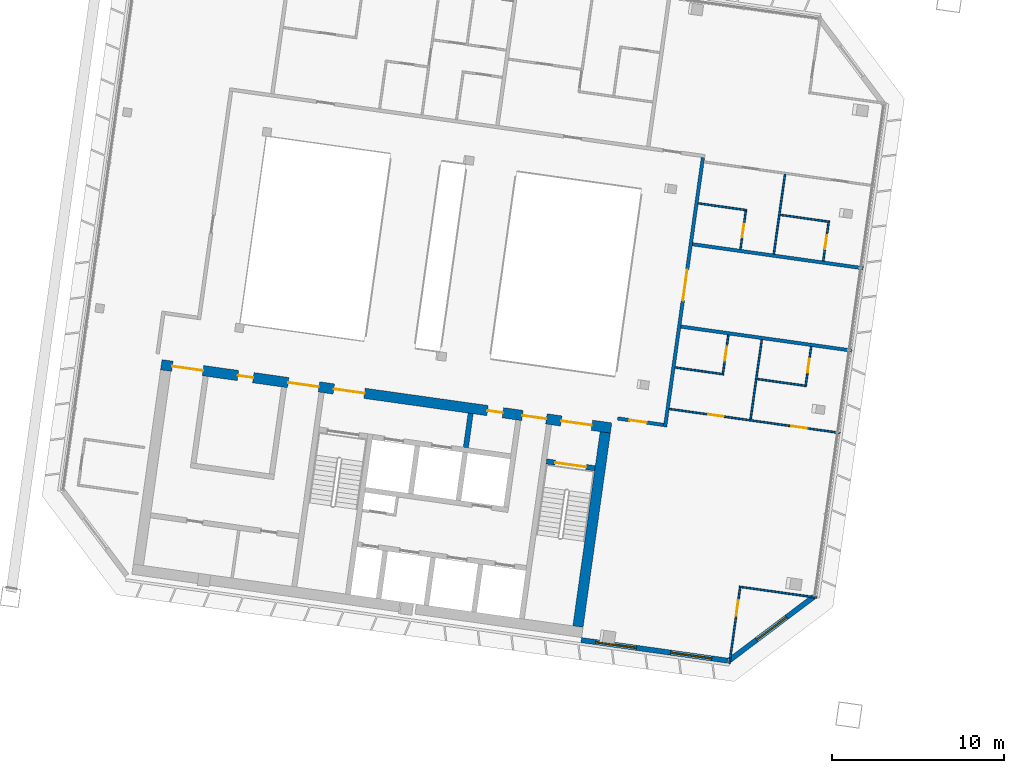
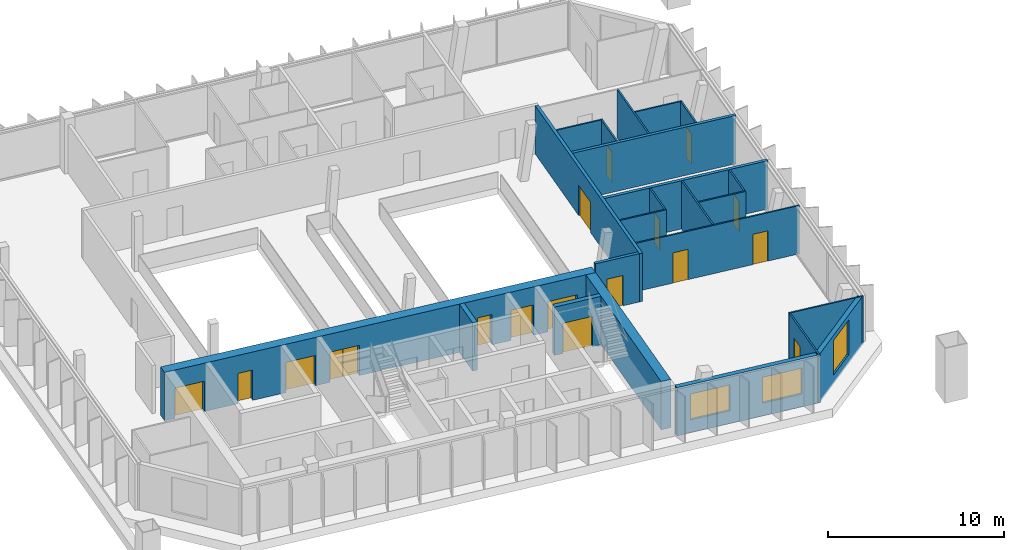
# One storey, part 17 of 26: 23 walls, 17 doors, 3 windows, 20 openings.
"""IFC4 building model written with IfcOpenShell, lengths in metres."""

from ifc_helpers import new_model, si_unit, direction, frame, frame_2d, origin, place, context, subcontext, project, spatial, rectangle, extrude, material, layer, layer_set, type_object, element, fill, save


model = new_model("IFC4")

# Units and contexts
model_context = context("Model", 3, precision=1e-05, world=origin(), true_north=direction((0.0, 1.0)))
body_context = subcontext(model_context, "Body", "Model", "MODEL_VIEW")
ifc_project = project(units=[si_unit("LENGTHUNIT", "METRE"), si_unit("AREAUNIT", "SQUARE_METRE"), si_unit("VOLUMEUNIT", "CUBIC_METRE"), si_unit("PLANEANGLEUNIT", "RADIAN"), si_unit("MASSUNIT", "GRAM", prefix="KILO")], contexts=[model_context])

# Site, building, storey
site_placement = place(None, origin())
site = spatial("IfcSite", under=ifc_project, at=site_placement, CompositionType="ELEMENT")
building_placement = place(site_placement, origin())
building = spatial("IfcBuilding", under=site, at=building_placement, Name="Mirante Cascada Hotel Towers", CompositionType="ELEMENT")
storey_placement = place(building_placement, frame((0.0, 0.0, 235.6)))
storey = spatial("IfcBuildingStorey", under=building, at=storey_placement, Name="L56", CompositionType="ELEMENT", Elevation=235.6)

# Wall, opening, door
ifc_material_1 = material(Name="Fire-rated plasterboard on metal studs")
ifc_layer_1 = layer(ifc_material_1, 0.2)
ifc_layer_set_1 = layer_set([ifc_layer_1], Name="Compartment wall 200 EI 120")
wall_type_1 = type_object("IfcWallType", Name="Compartment wall 200 EI 120", PredefinedType="PARTITIONING", material=ifc_layer_set_1)
wall_1_placement = place(storey_placement, frame((-35.2634, -7.1173, 0.0), z_axis=(0.0, 0.0, 1.0), x_axis=(0.9902713, -0.1391498, 0.0)))
wall_1 = element("IfcWall", 1, at=wall_1_placement, inside=storey, type_object=wall_type_1, Name="Wall 1-L56-04", PredefinedType="PARTITIONING", context=body_context, shape_type="SweptSolid", body=[
    extrude(rectangle(XDim=2.7, YDim=0.2, at=frame_2d((1.35, 0.0))), origin(), (0.0, 0.0, 1.0), 3.35),
])
opening_1_placement = place(wall_1_placement, frame((0.7, 0.0, 0.0)))
opening_1 = element("IfcOpeningElement", 2, at=opening_1_placement, cuts=wall_1, Name="Opening D1-L56-01", PredefinedType="OPENING", context=body_context, shape_type="SweptSolid", body=[
    extrude(rectangle(XDim=1.0, YDim=2.1, at=frame_2d((0.5, 1.05))), frame((0.0, 0.1, 0.0), z_axis=(0.0, -1.0, 0.0), x_axis=(1.0, 0.0, 0.0)), (0.0, 0.0, 1.0), 0.2),
])
ifc_material_2 = material(Name="Fire-rated timber door leaf", Category="wood")
door_type_1 = type_object("IfcDoorType", Name="Entrance door DG1 1000x2100 EI 60", OperationType="SINGLE_SWING_LEFT", PredefinedType="DOOR", material=ifc_material_2)
door_1_placement = place(opening_1_placement, frame((1.0, 0.0, 0.0), z_axis=(0.0, 0.0, 1.0), x_axis=(-1.0, 0.0, 0.0)))
door_1 = element("IfcDoor", 3, at=door_1_placement, inside=storey, type_object=door_type_1, Name="Door D1-L56-01", OperationType="SINGLE_SWING_RIGHT", OverallHeight=2.1, OverallWidth=1.0, PredefinedType="DOOR", context=body_context, shape_type="SweptSolid", body=[
    extrude(rectangle(XDim=1.0, YDim=2.1, at=frame_2d((0.5, 1.05))), frame((0.0, 0.025, 0.0), z_axis=(0.0, -1.0, 0.0), x_axis=(1.0, 0.0, 0.0)), (0.0, 0.0, 1.0), 0.05),
])
fill(opening_1, door_1)

# Walls
for number, where, z_axis, x_axis, name in (
    (4, (-21.6634, -3.1716, 0.0), (0.0, 0.0, 1.0), (-0.9902681, 0.1391726, 0.0), "Wall 1-L56-09"),
    (5, (-30.9118, 3.0089, 0.0), (0.0, 0.0, 1.0), (0.9902681, -0.1391726, 0.0), "Wall 1-L56-10"),
):
    element("IfcWall", number, at=place(storey_placement, frame(where, z_axis=z_axis, x_axis=x_axis)), inside=storey, type_object=wall_type_1, Name=name, PredefinedType="PARTITIONING", context=body_context, shape_type="SweptSolid", body=[
        extrude(rectangle(XDim=10.0185, YDim=0.2, at=frame_2d((5.0092, 0.0))), origin(), (0.0, 0.0, 1.0), 3.35),
    ])

# Wall, opening, door
wall_2_placement = place(storey_placement, frame((-30.3056, 8.0402, 0.0), z_axis=(0.0, 0.0, 1.0), x_axis=(-0.1391774, -0.9902675, 0.0)))
wall_2 = element("IfcWall", 6, at=wall_2_placement, inside=storey, type_object=wall_type_1, Name="Wall 1-L56-32", PredefinedType="PARTITIONING", context=body_context, shape_type="SweptSolid", body=[
    extrude(rectangle(XDim=15.8, YDim=0.2, at=frame_2d((7.9, 0.0))), origin(), (0.0, 0.0, 1.0), 3.35),
])
opening_2_placement = place(wall_2_placement, frame((6.5834, 0.0, 0.0)))
opening_2 = element("IfcOpeningElement", 7, at=opening_2_placement, cuts=wall_2, Name="Opening D1-L56-22", PredefinedType="OPENING", context=body_context, shape_type="SweptSolid", body=[
    extrude(rectangle(XDim=1.8, YDim=2.1, at=frame_2d((0.9, 1.05))), frame((0.0, 0.1, 0.0), z_axis=(0.0, -1.0, 0.0), x_axis=(1.0, 0.0, 0.0)), (0.0, 0.0, 1.0), 0.2),
])
ifc_material_3 = material(Name="Fire-rated timber door leaf", Category="wood")
door_type_2 = type_object("IfcDoorType", Name="Suite double door DG2 1800x2100 EI 60", OperationType="DOUBLE_DOOR_SINGLE_SWING", PredefinedType="DOOR", material=ifc_material_3)
door_2_placement = place(opening_2_placement, origin())
door_2 = element("IfcDoor", 8, at=door_2_placement, inside=storey, type_object=door_type_2, Name="Door D1-L56-22", OperationType="DOUBLE_DOOR_SINGLE_SWING", OverallHeight=2.1, OverallWidth=1.8, PredefinedType="DOOR", context=body_context, shape_type="SweptSolid", body=[
    extrude(rectangle(XDim=0.895, YDim=2.1, at=frame_2d((0.4475, 1.05))), frame((0.0, 0.025, 0.0), z_axis=(0.0, -1.0, 0.0), x_axis=(1.0, 0.0, 0.0)), (0.0, 0.0, 1.0), 0.05),
    extrude(rectangle(XDim=0.895, YDim=2.1, at=frame_2d((1.3525, 1.05))), frame((0.0, 0.025, 0.0), z_axis=(0.0, -1.0, 0.0), x_axis=(1.0, 0.0, 0.0)), (0.0, 0.0, 1.0), 0.05),
])
fill(opening_2, door_2)

# Walls
ifc_material_4 = material(Name="Masonry block", Category="masonry")
ifc_layer_2 = layer(ifc_material_4, 0.3)
ifc_layer_set_2 = layer_set([ifc_layer_2], Name="Core wall 300 block EI 120")
wall_type_2 = type_object("IfcWallType", Name="Core wall 300 block EI 120", PredefinedType="PARTITIONING", material=ifc_layer_set_2)
wall_3_placement = place(storey_placement, frame((-44.0843, -8.8061, 0.0), z_axis=(0.0, 0.0, 1.0), x_axis=(0.1391951, 0.990265, 0.0)))
element("IfcWall", 9, at=wall_3_placement, inside=storey, type_object=wall_type_2, Name="Core wall partition T1 L56 1", PredefinedType="PARTITIONING", context=body_context, shape_type="SweptSolid", body=[
    extrude(rectangle(XDim=2.0001, YDim=0.3, at=frame_2d((1.0001, 0.0))), origin(), (0.0, 0.0, 1.0), 3.35),
])
ifc_material_5 = material(Name="Plasterboard on metal studs")
ifc_layer_3 = layer(ifc_material_5, 0.1)
ifc_layer_set_3 = layer_set([ifc_layer_3], Name="Partition 100")
wall_type_3 = type_object("IfcWallType", Name="Partition 100", PredefinedType="PARTITIONING", material=ifc_layer_set_3)
wall_4_placement = place(storey_placement, frame((-23.6814, -17.5305, 0.0), z_axis=(0.0, 0.0, 1.0), x_axis=(-0.9902695, 0.1391626, 0.0)))
element("IfcWall", 10, at=wall_4_placement, inside=storey, type_object=wall_type_3, Name="Wall 1-L56-01", PredefinedType="PARTITIONING", context=body_context, shape_type="SweptSolid", body=[
    extrude(rectangle(XDim=4.5501, YDim=0.1, at=frame_2d((2.275, 0.0))), origin(), (0.0, 0.0, 1.0), 3.35),
])

# Wall, openings, doors
wall_5_placement = place(storey_placement, frame((-22.3361, -7.9579, 0.0), z_axis=(0.0, 0.0, 1.0), x_axis=(-0.9902681, 0.1391726, 0.0)))
wall_5 = element("IfcWall", 11, at=wall_5_placement, inside=storey, type_object=wall_type_3, Name="Wall 1-L56-05", PredefinedType="PARTITIONING", context=body_context, shape_type="SweptSolid", body=[
    extrude(rectangle(XDim=10.0185, YDim=0.1, at=frame_2d((5.0092, 0.0))), origin(), (0.0, 0.0, 1.0), 3.35),
])
opening_3_placement = place(wall_5_placement, frame((1.95, 0.0, 0.0)))
opening_3 = element("IfcOpeningElement", 12, at=opening_3_placement, cuts=wall_5, Name="Opening D1-L56-02", PredefinedType="OPENING", context=body_context, shape_type="SweptSolid", body=[
    extrude(rectangle(XDim=0.9, YDim=2.1, at=frame_2d((0.45, 1.05))), frame((0.0, 0.05, 0.0), z_axis=(0.0, -1.0, 0.0), x_axis=(1.0, 0.0, 0.0)), (0.0, 0.0, 1.0), 0.1),
])
opening_4_placement = place(wall_5_placement, frame((6.8389, 0.0, 0.0)))
opening_4 = element("IfcOpeningElement", 13, at=opening_4_placement, cuts=wall_5, Name="Opening D1-L56-03", PredefinedType="OPENING", context=body_context, shape_type="SweptSolid", body=[
    extrude(rectangle(XDim=0.9, YDim=2.1, at=frame_2d((0.45, 1.05))), frame((0.0, 0.05, 0.0), z_axis=(0.0, -1.0, 0.0), x_axis=(1.0, 0.0, 0.0)), (0.0, 0.0, 1.0), 0.1),
])
ifc_material_6 = material(Name="Timber door leaf", Category="wood")
door_type_3 = type_object("IfcDoorType", Name="Room door DG3 900x2100", OperationType="SINGLE_SWING_LEFT", PredefinedType="DOOR", material=ifc_material_6)
door_3_placement = place(opening_3_placement, origin())
door_3 = element("IfcDoor", 14, at=door_3_placement, inside=storey, type_object=door_type_3, Name="Door D1-L56-02", OperationType="SINGLE_SWING_LEFT", OverallHeight=2.1, OverallWidth=0.9, PredefinedType="DOOR", context=body_context, shape_type="SweptSolid", body=[
    extrude(rectangle(XDim=0.9, YDim=2.1, at=frame_2d((0.45, 1.05))), frame((0.0, 0.025, 0.0), z_axis=(0.0, -1.0, 0.0), x_axis=(1.0, 0.0, 0.0)), (0.0, 0.0, 1.0), 0.05),
])
fill(opening_3, door_3)
door_4_placement = place(opening_4_placement, origin())
door_4 = element("IfcDoor", 15, at=door_4_placement, inside=storey, type_object=door_type_3, Name="Door D1-L56-03", OperationType="SINGLE_SWING_LEFT", OverallHeight=2.1, OverallWidth=0.9, PredefinedType="DOOR", context=body_context, shape_type="SweptSolid", body=[
    extrude(rectangle(XDim=0.9, YDim=2.1, at=frame_2d((0.45, 1.05))), frame((0.0, 0.025, 0.0), z_axis=(0.0, -1.0, 0.0), x_axis=(1.0, 0.0, 0.0)), (0.0, 0.0, 1.0), 0.05),
])
fill(opening_4, door_4)

# Walls
wall_6_placement = place(storey_placement, frame((-24.2842, -5.2269, 0.0), z_axis=(0.0, 0.0, 1.0), x_axis=(-0.9902676, 0.1391761, 0.0)))
element("IfcWall", 16, at=wall_6_placement, inside=storey, type_object=wall_type_3, Name="Wall 1-L56-07", PredefinedType="PARTITIONING", context=body_context, shape_type="SweptSolid", body=[
    extrude(rectangle(XDim=2.8999, YDim=0.1, at=frame_2d((1.45, 0.0))), origin(), (0.0, 0.0, 1.0), 3.35),
])
wall_7_placement = place(storey_placement, frame((-31.9184, -4.154, 0.0), z_axis=(0.0, 0.0, 1.0), x_axis=(0.9902697, -0.1391613, 0.0)))
element("IfcWall", 17, at=wall_7_placement, inside=storey, type_object=wall_type_3, Name="Wall 1-L56-08", PredefinedType="PARTITIONING", context=body_context, shape_type="SweptSolid", body=[
    extrude(rectangle(XDim=2.8499, YDim=0.1, at=frame_2d((1.425, 0.0))), origin(), (0.0, 0.0, 1.0), 3.35),
])
wall_8_placement = place(storey_placement, frame((-22.9435, 4.3127, 0.0), z_axis=(0.0, 0.0, 1.0), x_axis=(-0.9902683, 0.1391714, 0.0)))
element("IfcWall", 18, at=wall_8_placement, inside=storey, type_object=wall_type_3, Name="Wall 1-L56-11", PredefinedType="PARTITIONING", context=body_context, shape_type="SweptSolid", body=[
    extrude(rectangle(XDim=2.9, YDim=0.1, at=frame_2d((1.45, 0.0))), origin(), (0.0, 0.0, 1.0), 3.35),
])
wall_9_placement = place(storey_placement, frame((-30.5777, 5.3856, 0.0), z_axis=(0.0, 0.0, 1.0), x_axis=(0.9902649, -0.1391957, 0.0)))
element("IfcWall", 19, at=wall_9_placement, inside=storey, type_object=wall_type_3, Name="Wall 1-L56-12", PredefinedType="PARTITIONING", context=body_context, shape_type="SweptSolid", body=[
    extrude(rectangle(XDim=2.8499, YDim=0.1, at=frame_2d((1.425, 0.0))), origin(), (0.0, 0.0, 1.0), 3.35),
])

# Wall, opening, door
wall_10_placement = place(storey_placement, frame((-24.0136, -2.9423, 0.0), z_axis=(0.0, 0.0, 1.0), x_axis=(-0.1391561, -0.9902705, 0.0)))
wall_10 = element("IfcWall", 20, at=wall_10_placement, inside=storey, type_object=wall_type_3, Name="Wall 1-L56-24", PredefinedType="PARTITIONING", context=body_context, shape_type="SweptSolid", body=[
    extrude(rectangle(XDim=2.25, YDim=0.1, at=frame_2d((1.125, 0.0))), origin(), (0.0, 0.0, 1.0), 3.35),
])
opening_5_placement = place(wall_10_placement, frame((0.7, 0.0, 0.0)))
opening_5 = element("IfcOpeningElement", 21, at=opening_5_placement, cuts=wall_10, Name="Opening D1-L56-16", PredefinedType="OPENING", context=body_context, shape_type="SweptSolid", body=[
    extrude(rectangle(XDim=0.8, YDim=2.1, at=frame_2d((0.4, 1.05))), frame((0.0, 0.05, 0.0), z_axis=(0.0, -1.0, 0.0), x_axis=(1.0, 0.0, 0.0)), (0.0, 0.0, 1.0), 0.1),
])
ifc_material_7 = material(Name="Timber door leaf", Category="wood")
door_type_4 = type_object("IfcDoorType", Name="Bathroom door DG4 800x2100", OperationType="SINGLE_SWING_LEFT", PredefinedType="DOOR", material=ifc_material_7)
door_5_placement = place(opening_5_placement, frame((0.8, 0.0, 0.0), z_axis=(0.0, 0.0, 1.0), x_axis=(-1.0, 0.0, 0.0)))
door_5 = element("IfcDoor", 22, at=door_5_placement, inside=storey, type_object=door_type_4, Name="Door D1-L56-16", OperationType="SINGLE_SWING_RIGHT", OverallHeight=2.1, OverallWidth=0.8, PredefinedType="DOOR", context=body_context, shape_type="SweptSolid", body=[
    extrude(rectangle(XDim=0.8, YDim=2.1, at=frame_2d((0.4, 1.05))), frame((0.0, 0.025, 0.0), z_axis=(0.0, -1.0, 0.0), x_axis=(1.0, 0.0, 0.0)), (0.0, 0.0, 1.0), 0.05),
])
fill(opening_5, door_5)

wall_11_placement = place(storey_placement, frame((-23.3131, 2.042, 0.0), z_axis=(0.0, 0.0, 1.0), x_axis=(0.1391997, 0.9902643, 0.0)))
wall_11 = element("IfcWall", 23, at=wall_11_placement, inside=storey, type_object=wall_type_3, Name="Wall 1-L56-25", PredefinedType="PARTITIONING", context=body_context, shape_type="SweptSolid", body=[
    extrude(rectangle(XDim=2.25, YDim=0.1, at=frame_2d((1.125, 0.0))), origin(), (0.0, 0.0, 1.0), 3.35),
])
opening_6_placement = place(wall_11_placement, frame((0.7, 0.0, 0.0)))
opening_6 = element("IfcOpeningElement", 24, at=opening_6_placement, cuts=wall_11, Name="Opening D1-L56-17", PredefinedType="OPENING", context=body_context, shape_type="SweptSolid", body=[
    extrude(rectangle(XDim=0.8, YDim=2.1, at=frame_2d((0.4, 1.05))), frame((0.0, 0.05, 0.0), z_axis=(0.0, -1.0, 0.0), x_axis=(1.0, 0.0, 0.0)), (0.0, 0.0, 1.0), 0.1),
])
door_6_placement = place(opening_6_placement, origin())
door_6 = element("IfcDoor", 25, at=door_6_placement, inside=storey, type_object=door_type_4, Name="Door D1-L56-17", OperationType="SINGLE_SWING_LEFT", OverallHeight=2.1, OverallWidth=0.8, PredefinedType="DOOR", context=body_context, shape_type="SweptSolid", body=[
    extrude(rectangle(XDim=0.8, YDim=2.1, at=frame_2d((0.4, 1.05))), frame((0.0, 0.025, 0.0), z_axis=(0.0, -1.0, 0.0), x_axis=(1.0, 0.0, 0.0)), (0.0, 0.0, 1.0), 0.05),
])
fill(opening_6, door_6)

wall_12_placement = place(storey_placement, frame((-28.1446, -16.9538, 0.0), z_axis=(0.0, 0.0, 1.0), x_axis=(-0.1391715, -0.9902683, 0.0)))
wall_12 = element("IfcWall", 26, at=wall_12_placement, inside=storey, type_object=wall_type_3, Name="Wall 1-L56-26", PredefinedType="PARTITIONING", context=body_context, shape_type="SweptSolid", body=[
    extrude(rectangle(XDim=4.4499, YDim=0.1, at=frame_2d((2.225, 0.0))), origin(), (0.0, 0.0, 1.0), 3.35),
])
opening_7_placement = place(wall_12_placement, frame((0.75, 0.0, 0.0)))
opening_7 = element("IfcOpeningElement", 27, at=opening_7_placement, cuts=wall_12, Name="Opening D1-L56-18", PredefinedType="OPENING", context=body_context, shape_type="SweptSolid", body=[
    extrude(rectangle(XDim=0.9, YDim=2.1, at=frame_2d((0.45, 1.05))), frame((0.0, 0.05, 0.0), z_axis=(0.0, -1.0, 0.0), x_axis=(1.0, 0.0, 0.0)), (0.0, 0.0, 1.0), 0.1),
])
door_7_placement = place(opening_7_placement, frame((0.9, 0.0, 0.0), z_axis=(0.0, 0.0, 1.0), x_axis=(-1.0, 0.0, 0.0)))
door_7 = element("IfcDoor", 28, at=door_7_placement, inside=storey, type_object=door_type_3, Name="Door D1-L56-18", OperationType="SINGLE_SWING_RIGHT", OverallHeight=2.1, OverallWidth=0.9, PredefinedType="DOOR", context=body_context, shape_type="SweptSolid", body=[
    extrude(rectangle(XDim=0.9, YDim=2.1, at=frame_2d((0.45, 1.05))), frame((0.0, 0.025, 0.0), z_axis=(0.0, -1.0, 0.0), x_axis=(1.0, 0.0, 0.0)), (0.0, 0.0, 1.0), 0.05),
])
fill(opening_7, door_7)

# Walls
wall_13_placement = place(storey_placement, frame((-26.8854, -2.5387, 0.0), z_axis=(0.0, 0.0, 1.0), x_axis=(-0.139176, -0.9902677, 0.0)))
element("IfcWall", 29, at=wall_13_placement, inside=storey, type_object=wall_type_3, Name="Wall 1-L56-28", PredefinedType="PARTITIONING", context=body_context, shape_type="SweptSolid", body=[
    extrude(rectangle(XDim=4.6833, YDim=0.1, at=frame_2d((2.3416, 0.0))), origin(), (0.0, 0.0, 1.0), 3.35),
])
wall_14_placement = place(storey_placement, frame((-26.1849, 2.4456, 0.0), z_axis=(0.0, 0.0, 1.0), x_axis=(0.139173, 0.9902681, 0.0)))
element("IfcWall", 30, at=wall_14_placement, inside=storey, type_object=wall_type_3, Name="Wall 1-L56-29", PredefinedType="PARTITIONING", context=body_context, shape_type="SweptSolid", body=[
    extrude(rectangle(XDim=4.6834, YDim=0.1, at=frame_2d((2.3417, 0.0))), origin(), (0.0, 0.0, 1.0), 3.35),
])

# Wall, opening, door
wall_15_placement = place(storey_placement, frame((-28.8256, -2.266, 0.0), z_axis=(0.0, 0.0, 1.0), x_axis=(-0.1391561, -0.9902705, 0.0)))
wall_15 = element("IfcWall", 31, at=wall_15_placement, inside=storey, type_object=wall_type_3, Name="Wall 1-L56-30", PredefinedType="PARTITIONING", context=body_context, shape_type="SweptSolid", body=[
    extrude(rectangle(XDim=2.25, YDim=0.1, at=frame_2d((1.125, 0.0))), origin(), (0.0, 0.0, 1.0), 3.35),
])
opening_8_placement = place(wall_15_placement, frame((0.7, 0.0, 0.0)))
opening_8 = element("IfcOpeningElement", 32, at=opening_8_placement, cuts=wall_15, Name="Opening D1-L56-20", PredefinedType="OPENING", context=body_context, shape_type="SweptSolid", body=[
    extrude(rectangle(XDim=0.8, YDim=2.1, at=frame_2d((0.4, 1.05))), frame((0.0, 0.05, 0.0), z_axis=(0.0, -1.0, 0.0), x_axis=(1.0, 0.0, 0.0)), (0.0, 0.0, 1.0), 0.1),
])
door_8_placement = place(opening_8_placement, frame((0.8, 0.0, 0.0), z_axis=(0.0, 0.0, 1.0), x_axis=(-1.0, 0.0, 0.0)))
door_8 = element("IfcDoor", 33, at=door_8_placement, inside=storey, type_object=door_type_4, Name="Door D1-L56-20", OperationType="SINGLE_SWING_RIGHT", OverallHeight=2.1, OverallWidth=0.8, PredefinedType="DOOR", context=body_context, shape_type="SweptSolid", body=[
    extrude(rectangle(XDim=0.8, YDim=2.1, at=frame_2d((0.4, 1.05))), frame((0.0, 0.025, 0.0), z_axis=(0.0, -1.0, 0.0), x_axis=(1.0, 0.0, 0.0)), (0.0, 0.0, 1.0), 0.05),
])
fill(opening_8, door_8)

wall_16_placement = place(storey_placement, frame((-28.1251, 2.7183, 0.0), z_axis=(0.0, 0.0, 1.0), x_axis=(0.1391561, 0.9902705, 0.0)))
wall_16 = element("IfcWall", 34, at=wall_16_placement, inside=storey, type_object=wall_type_3, Name="Wall 1-L56-31", PredefinedType="PARTITIONING", context=body_context, shape_type="SweptSolid", body=[
    extrude(rectangle(XDim=2.25, YDim=0.1, at=frame_2d((1.125, 0.0))), origin(), (0.0, 0.0, 1.0), 3.35),
])
opening_9_placement = place(wall_16_placement, frame((0.7, 0.0, 0.0)))
opening_9 = element("IfcOpeningElement", 35, at=opening_9_placement, cuts=wall_16, Name="Opening D1-L56-21", PredefinedType="OPENING", context=body_context, shape_type="SweptSolid", body=[
    extrude(rectangle(XDim=0.8, YDim=2.1, at=frame_2d((0.4, 1.05))), frame((0.0, 0.05, 0.0), z_axis=(0.0, -1.0, 0.0), x_axis=(1.0, 0.0, 0.0)), (0.0, 0.0, 1.0), 0.1),
])
door_9_placement = place(opening_9_placement, origin())
door_9 = element("IfcDoor", 36, at=door_9_placement, inside=storey, type_object=door_type_4, Name="Door D1-L56-21", OperationType="SINGLE_SWING_LEFT", OverallHeight=2.1, OverallWidth=0.8, PredefinedType="DOOR", context=body_context, shape_type="SweptSolid", body=[
    extrude(rectangle(XDim=0.8, YDim=2.1, at=frame_2d((0.4, 1.05))), frame((0.0, 0.025, 0.0), z_axis=(0.0, -1.0, 0.0), x_axis=(1.0, 0.0, 0.0)), (0.0, 0.0, 1.0), 0.05),
])
fill(opening_9, door_9)

# Wall, openings, windows
ifc_material_8 = material(Name="Precast concrete C40/50", Category="concrete")
ifc_layer_4 = layer(ifc_material_8, 0.3)
ifc_layer_set_4 = layer_set([ifc_layer_4], Name="Precast concrete C40/50 cladding wall 300")
wall_type_4 = type_object("IfcWallType", Name="Precast concrete C40/50 cladding wall 300", PredefinedType="STANDARD", material=ifc_layer_set_4)
wall_17_placement = place(storey_placement, frame((-28.8659, -21.1946, 0.0), z_axis=(0.0, 0.0, 1.0), x_axis=(-0.9902683, 0.1391714, 0.0)))
wall_17 = element("IfcWall", 37, at=wall_17_placement, inside=storey, type_object=wall_type_4, Name="Rear cladding wall T1 L56 1", PredefinedType="STANDARD", context=body_context, shape_type="SweptSolid", body=[
    extrude(rectangle(XDim=8.5944, YDim=0.3, at=frame_2d((4.2972, 0.0))), origin(), (0.0, 0.0, 1.0), 3.35),
])
opening_10_placement = place(wall_17_placement, frame((0.9439, 0.0, 0.9)))
opening_10 = element("IfcOpeningElement", 38, at=opening_10_placement, cuts=wall_17, Name="Opening W1-56-01", PredefinedType="OPENING", context=body_context, shape_type="SweptSolid", body=[
    extrude(rectangle(XDim=2.4, YDim=1.8, at=frame_2d((1.2, 0.9))), frame((0.0, 0.15, 0.0), z_axis=(0.0, -1.0, 0.0), x_axis=(1.0, 0.0, 0.0)), (0.0, 0.0, 1.0), 0.3),
])
opening_11_placement = place(wall_17_placement, frame((5.3557, 0.0, 0.9)))
opening_11 = element("IfcOpeningElement", 39, at=opening_11_placement, cuts=wall_17, Name="Opening W1-56-02", PredefinedType="OPENING", context=body_context, shape_type="SweptSolid", body=[
    extrude(rectangle(XDim=2.4, YDim=1.8, at=frame_2d((1.2, 0.9))), frame((0.0, 0.15, 0.0), z_axis=(0.0, -1.0, 0.0), x_axis=(1.0, 0.0, 0.0)), (0.0, 0.0, 1.0), 0.3),
])
ifc_material_9 = material(Name="Aluminium frame with clear double glazing", Category="aluminium")
window_type_1 = type_object("IfcWindowType", Name="Punched window 2400x1800", PartitioningType="DOUBLE_PANEL_VERTICAL", PredefinedType="WINDOW", material=ifc_material_9)
window_1_placement = place(opening_10_placement, origin())
window_1 = element("IfcWindow", 40, at=window_1_placement, inside=storey, type_object=window_type_1, Name="Window W1-56-01", OverallHeight=1.8, OverallWidth=2.4, PartitioningType="SINGLE_PANEL", PredefinedType="WINDOW", context=body_context, shape_type="SweptSolid", body=[
    extrude(rectangle(XDim=2.4, YDim=1.8, at=frame_2d((1.2, 0.9))), frame((0.0, 0.03, 0.0), z_axis=(0.0, -1.0, 0.0), x_axis=(1.0, 0.0, 0.0)), (0.0, 0.0, 1.0), 0.06),
])
fill(opening_10, window_1)
window_2_placement = place(opening_11_placement, origin())
window_2 = element("IfcWindow", 41, at=window_2_placement, inside=storey, type_object=window_type_1, Name="Window W1-56-02", OverallHeight=1.8, OverallWidth=2.4, PartitioningType="SINGLE_PANEL", PredefinedType="WINDOW", context=body_context, shape_type="SweptSolid", body=[
    extrude(rectangle(XDim=2.4, YDim=1.8, at=frame_2d((1.2, 0.9))), frame((0.0, 0.03, 0.0), z_axis=(0.0, -1.0, 0.0), x_axis=(1.0, 0.0, 0.0)), (0.0, 0.0, 1.0), 0.06),
])
fill(opening_11, window_2)

# Wall, opening, window
wall_18_placement = place(storey_placement, frame((-23.8708, -17.4854, 0.0), z_axis=(0.0, 0.0, 1.0), x_axis=(-0.7986362, -0.6018141, 0.0)))
wall_18 = element("IfcWall", 42, at=wall_18_placement, inside=storey, type_object=wall_type_4, Name="Corner cladding wall T1 L56 inner rear", PredefinedType="STANDARD", context=body_context, shape_type="SweptSolid", body=[
    extrude(rectangle(XDim=6.1157, YDim=0.3, at=frame_2d((3.0578, 0.0))), origin(), (0.0, 0.0, 1.0), 3.35),
])
opening_12_placement = place(wall_18_placement, frame((1.9578, 0.0, 0.6)))
opening_12 = element("IfcOpeningElement", 43, at=opening_12_placement, cuts=wall_18, Name="Opening W1-56-06", PredefinedType="OPENING", context=body_context, shape_type="SweptSolid", body=[
    extrude(rectangle(XDim=2.2, YDim=2.4, at=frame_2d((1.1, 1.2))), frame((0.0, 0.15, 0.0), z_axis=(0.0, -1.0, 0.0), x_axis=(1.0, 0.0, 0.0)), (0.0, 0.0, 1.0), 0.3),
])
ifc_material_10 = material(Name="Aluminium frame with clear double glazing", Category="aluminium")
window_type_2 = type_object("IfcWindowType", Name="Corner suite window 2200x2400", PartitioningType="DOUBLE_PANEL_VERTICAL", PredefinedType="WINDOW", material=ifc_material_10)
window_3_placement = place(opening_12_placement, origin())
window_3 = element("IfcWindow", 44, at=window_3_placement, inside=storey, type_object=window_type_2, Name="Window W1-56-06", OverallHeight=2.4, OverallWidth=2.2, PartitioningType="SINGLE_PANEL", PredefinedType="WINDOW", context=body_context, shape_type="SweptSolid", body=[
    extrude(rectangle(XDim=2.2, YDim=2.4, at=frame_2d((1.1, 1.2))), frame((0.0, 0.03, 0.0), z_axis=(0.0, -1.0, 0.0), x_axis=(1.0, 0.0, 0.0)), (0.0, 0.0, 1.0), 0.06),
])
fill(opening_12, window_3)

# Wall, opening, door
ifc_material_11 = material(Name="Concrete C50/60", Category="concrete")
ifc_layer_5 = layer(ifc_material_11, 0.3)
ifc_layer_set_5 = layer_set([ifc_layer_5], Name="RC core wall 300 C50/60")
wall_type_5 = type_object("IfcWallType", Name="RC core wall 300 C50/60", PredefinedType="SHEAR", material=ifc_layer_set_5)
wall_19_placement = place(storey_placement, frame((-36.5791, -10.0123, 0.0), z_axis=(0.0, 0.0, 1.0), x_axis=(-0.9902704, 0.1391564, 0.0)))
wall_19 = element("IfcWall", 45, at=wall_19_placement, inside=storey, type_object=wall_type_5, Name="Core wall T1:L56:8", PredefinedType="SHEAR", context=body_context, shape_type="SweptSolid", body=[
    extrude(rectangle(XDim=2.85, YDim=0.3, at=frame_2d((1.425, 0.0))), origin(), (0.0, 0.0, 1.0), 3.35),
])
opening_13_placement = place(wall_19_placement, frame((0.525, 0.0, 0.0)))
opening_13 = element("IfcOpeningElement", 46, at=opening_13_placement, cuts=wall_19, Name="Opening D1-56-C07", PredefinedType="OPENING", context=body_context, shape_type="SweptSolid", body=[
    extrude(rectangle(XDim=1.8, YDim=2.1, at=frame_2d((0.9, 1.05))), frame((0.0, 0.15, 0.0), z_axis=(0.0, -1.0, 0.0), x_axis=(1.0, 0.0, 0.0)), (0.0, 0.0, 1.0), 0.3),
])
ifc_material_12 = material(Name="Hollow metal fire door leaf")
door_type_5 = type_object("IfcDoorType", Name="Double fire door 1800x2100 FD60", OperationType="DOUBLE_DOOR_SINGLE_SWING", PredefinedType="DOOR", material=ifc_material_12)
door_10_placement = place(opening_13_placement, origin())
door_10 = element("IfcDoor", 47, at=door_10_placement, inside=storey, type_object=door_type_5, Name="Stair door T1 L56 7", OperationType="DOUBLE_DOOR_SINGLE_SWING", OverallHeight=2.1, OverallWidth=1.8, PredefinedType="DOOR", context=body_context, shape_type="SweptSolid", body=[
    extrude(rectangle(XDim=0.895, YDim=2.1, at=frame_2d((0.4475, 1.05))), frame((0.0, 0.025, 0.0), z_axis=(0.0, -1.0, 0.0), x_axis=(1.0, 0.0, 0.0)), (0.0, 0.0, 1.0), 0.05),
    extrude(rectangle(XDim=0.895, YDim=2.1, at=frame_2d((1.3525, 1.05))), frame((0.0, 0.025, 0.0), z_axis=(0.0, -1.0, 0.0), x_axis=(1.0, 0.0, 0.0)), (0.0, 0.0, 1.0), 0.05),
])
fill(opening_13, door_10)

# Wall, openings, doors
ifc_material_13 = material(Name="Concrete C50/60", Category="concrete")
ifc_layer_6 = layer(ifc_material_13, 0.6)
ifc_layer_set_6 = layer_set([ifc_layer_6], Name="RC core wall 600 C50/60")
wall_type_6 = type_object("IfcWallType", Name="RC core wall 600 C50/60", PredefinedType="SHEAR", material=ifc_layer_set_6)
wall_20_placement = place(storey_placement, frame((-35.644, -7.6697, 0.0), z_axis=(0.0, 0.0, 1.0), x_axis=(-0.9902679, 0.1391741, 0.0)))
wall_20 = element("IfcWall", 48, at=wall_20_placement, inside=storey, type_object=wall_type_6, Name="Core wall T1:L56:2", PredefinedType="SHEAR", context=body_context, shape_type="SweptSolid", body=[
    extrude(rectangle(XDim=26.4, YDim=0.6, at=frame_2d((13.2, 0.0))), origin(), (0.0, 0.0, 1.0), 3.35),
])
opening_14_placement = place(wall_20_placement, frame((1.125, 0.0, 0.0)))
opening_14 = element("IfcOpeningElement", 49, at=opening_14_placement, cuts=wall_20, Name="Opening D1-56-C08", PredefinedType="OPENING", context=body_context, shape_type="SweptSolid", body=[
    extrude(rectangle(XDim=1.8, YDim=2.1, at=frame_2d((0.9, 1.05))), frame((0.0, 0.3, 0.0), z_axis=(0.0, -1.0, 0.0), x_axis=(1.0, 0.0, 0.0)), (0.0, 0.0, 1.0), 0.6),
])
opening_15_placement = place(wall_20_placement, frame((14.475, 0.0, 0.0)))
opening_15 = element("IfcOpeningElement", 50, at=opening_15_placement, cuts=wall_20, Name="Opening D1-56-C10", PredefinedType="OPENING", context=body_context, shape_type="SweptSolid", body=[
    extrude(rectangle(XDim=1.8, YDim=2.1, at=frame_2d((0.9, 1.05))), frame((0.0, 0.3, 0.0), z_axis=(0.0, -1.0, 0.0), x_axis=(1.0, 0.0, 0.0)), (0.0, 0.0, 1.0), 0.6),
])
opening_16_placement = place(wall_20_placement, frame((3.8, 0.0, 0.0)))
opening_16 = element("IfcOpeningElement", 51, at=opening_16_placement, cuts=wall_20, Name="Opening D1-56-C11", PredefinedType="OPENING", context=body_context, shape_type="SweptSolid", body=[
    extrude(rectangle(XDim=1.4, YDim=2.1, at=frame_2d((0.7, 1.05))), frame((0.0, 0.3, 0.0), z_axis=(0.0, -1.0, 0.0), x_axis=(1.0, 0.0, 0.0)), (0.0, 0.0, 1.0), 0.6),
])
opening_17_placement = place(wall_20_placement, frame((17.15, 0.0, 0.0)))
opening_17 = element("IfcOpeningElement", 52, at=opening_17_placement, cuts=wall_20, Name="Opening D1-56-C12", PredefinedType="OPENING", context=body_context, shape_type="SweptSolid", body=[
    extrude(rectangle(XDim=1.8, YDim=2.1, at=frame_2d((0.9, 1.05))), frame((0.0, 0.3, 0.0), z_axis=(0.0, -1.0, 0.0), x_axis=(1.0, 0.0, 0.0)), (0.0, 0.0, 1.0), 0.6),
])
opening_18_placement = place(wall_20_placement, frame((23.95, 0.0, 0.0)))
opening_18 = element("IfcOpeningElement", 53, at=opening_18_placement, cuts=wall_20, Name="Opening D1-56-C13", PredefinedType="OPENING", context=body_context, shape_type="SweptSolid", body=[
    extrude(rectangle(XDim=1.8, YDim=2.1, at=frame_2d((0.9, 1.05))), frame((0.0, 0.3, 0.0), z_axis=(0.0, -1.0, 0.0), x_axis=(1.0, 0.0, 0.0)), (0.0, 0.0, 1.0), 0.6),
])
opening_19_placement = place(wall_20_placement, frame((6.35, 0.0, 0.0)))
opening_19 = element("IfcOpeningElement", 54, at=opening_19_placement, cuts=wall_20, Name="Opening D1-56-C16", PredefinedType="OPENING", context=body_context, shape_type="SweptSolid", body=[
    extrude(rectangle(XDim=0.9, YDim=2.1, at=frame_2d((0.45, 1.05))), frame((0.0, 0.3, 0.0), z_axis=(0.0, -1.0, 0.0), x_axis=(1.0, 0.0, 0.0)), (0.0, 0.0, 1.0), 0.6),
])
opening_20_placement = place(wall_20_placement, frame((21.0, 0.0, 0.0)))
opening_20 = element("IfcOpeningElement", 55, at=opening_20_placement, cuts=wall_20, Name="Opening D1-56-C19", PredefinedType="OPENING", context=body_context, shape_type="SweptSolid", body=[
    extrude(rectangle(XDim=0.9, YDim=2.1, at=frame_2d((0.45, 1.05))), frame((0.0, 0.3, 0.0), z_axis=(0.0, -1.0, 0.0), x_axis=(1.0, 0.0, 0.0)), (0.0, 0.0, 1.0), 0.6),
])
ifc_material_14 = material(Name="Hollow metal fire door leaf")
door_type_6 = type_object("IfcDoorType", Name="Double fire door 1400x2100 FD60", OperationType="DOUBLE_DOOR_SINGLE_SWING", PredefinedType="DOOR", material=ifc_material_14)
door_11_placement = place(opening_16_placement, frame((1.4, 0.0, 0.0), z_axis=(0.0, 0.0, 1.0), x_axis=(-1.0, 0.0, 0.0)))
door_11 = element("IfcDoor", 56, at=door_11_placement, inside=storey, type_object=door_type_6, Name="Exit door to gallery T1 L56 11", OperationType="DOUBLE_DOOR_SINGLE_SWING", OverallHeight=2.1, OverallWidth=1.4, PredefinedType="DOOR", context=body_context, shape_type="SweptSolid", body=[
    extrude(rectangle(XDim=0.695, YDim=2.1, at=frame_2d((0.3475, 1.05))), frame((0.0, 0.025, 0.0), z_axis=(0.0, -1.0, 0.0), x_axis=(1.0, 0.0, 0.0)), (0.0, 0.0, 1.0), 0.05),
    extrude(rectangle(XDim=0.695, YDim=2.1, at=frame_2d((1.0525, 1.05))), frame((0.0, 0.025, 0.0), z_axis=(0.0, -1.0, 0.0), x_axis=(1.0, 0.0, 0.0)), (0.0, 0.0, 1.0), 0.05),
])
fill(opening_16, door_11)
door_12_placement = place(opening_14_placement, origin())
door_12 = element("IfcDoor", 57, at=door_12_placement, inside=storey, type_object=door_type_5, Name="Exit door to gallery T1 L56 8", OperationType="DOUBLE_DOOR_SINGLE_SWING", OverallHeight=2.1, OverallWidth=1.8, PredefinedType="DOOR", context=body_context, shape_type="SweptSolid", body=[
    extrude(rectangle(XDim=0.895, YDim=2.1, at=frame_2d((0.4475, 1.05))), frame((0.0, 0.025, 0.0), z_axis=(0.0, -1.0, 0.0), x_axis=(1.0, 0.0, 0.0)), (0.0, 0.0, 1.0), 0.05),
    extrude(rectangle(XDim=0.895, YDim=2.1, at=frame_2d((1.3525, 1.05))), frame((0.0, 0.025, 0.0), z_axis=(0.0, -1.0, 0.0), x_axis=(1.0, 0.0, 0.0)), (0.0, 0.0, 1.0), 0.05),
])
fill(opening_14, door_12)
door_13_placement = place(opening_15_placement, origin())
door_13 = element("IfcDoor", 58, at=door_13_placement, inside=storey, type_object=door_type_5, Name="Exit door to gallery T1 L56 10", OperationType="DOUBLE_DOOR_SINGLE_SWING", OverallHeight=2.1, OverallWidth=1.8, PredefinedType="DOOR", context=body_context, shape_type="SweptSolid", body=[
    extrude(rectangle(XDim=0.895, YDim=2.1, at=frame_2d((0.4475, 1.05))), frame((0.0, 0.025, 0.0), z_axis=(0.0, -1.0, 0.0), x_axis=(1.0, 0.0, 0.0)), (0.0, 0.0, 1.0), 0.05),
    extrude(rectangle(XDim=0.895, YDim=2.1, at=frame_2d((1.3525, 1.05))), frame((0.0, 0.025, 0.0), z_axis=(0.0, -1.0, 0.0), x_axis=(1.0, 0.0, 0.0)), (0.0, 0.0, 1.0), 0.05),
])
fill(opening_15, door_13)
door_14_placement = place(opening_17_placement, frame((1.8, 0.0, 0.0), z_axis=(0.0, 0.0, 1.0), x_axis=(-1.0, 0.0, 0.0)))
door_14 = element("IfcDoor", 59, at=door_14_placement, inside=storey, type_object=door_type_5, Name="Exit door to gallery T1 L56 12", OperationType="DOUBLE_DOOR_SINGLE_SWING", OverallHeight=2.1, OverallWidth=1.8, PredefinedType="DOOR", context=body_context, shape_type="SweptSolid", body=[
    extrude(rectangle(XDim=0.895, YDim=2.1, at=frame_2d((0.4475, 1.05))), frame((0.0, 0.025, 0.0), z_axis=(0.0, -1.0, 0.0), x_axis=(1.0, 0.0, 0.0)), (0.0, 0.0, 1.0), 0.05),
    extrude(rectangle(XDim=0.895, YDim=2.1, at=frame_2d((1.3525, 1.05))), frame((0.0, 0.025, 0.0), z_axis=(0.0, -1.0, 0.0), x_axis=(1.0, 0.0, 0.0)), (0.0, 0.0, 1.0), 0.05),
])
fill(opening_17, door_14)
door_15_placement = place(opening_18_placement, frame((1.8, 0.0, 0.0), z_axis=(0.0, 0.0, 1.0), x_axis=(-1.0, 0.0, 0.0)))
door_15 = element("IfcDoor", 60, at=door_15_placement, inside=storey, type_object=door_type_5, Name="Exit door to gallery T1 L56 13", OperationType="DOUBLE_DOOR_SINGLE_SWING", OverallHeight=2.1, OverallWidth=1.8, PredefinedType="DOOR", context=body_context, shape_type="SweptSolid", body=[
    extrude(rectangle(XDim=0.895, YDim=2.1, at=frame_2d((0.4475, 1.05))), frame((0.0, 0.025, 0.0), z_axis=(0.0, -1.0, 0.0), x_axis=(1.0, 0.0, 0.0)), (0.0, 0.0, 1.0), 0.05),
    extrude(rectangle(XDim=0.895, YDim=2.1, at=frame_2d((1.3525, 1.05))), frame((0.0, 0.025, 0.0), z_axis=(0.0, -1.0, 0.0), x_axis=(1.0, 0.0, 0.0)), (0.0, 0.0, 1.0), 0.05),
])
fill(opening_18, door_15)
ifc_material_15 = material(Name="Hollow metal fire door leaf")
door_type_7 = type_object("IfcDoorType", Name="Fire door 900x2100 FD60", OperationType="NOTDEFINED", PredefinedType="DOOR", material=ifc_material_15)
door_16_placement = place(opening_19_placement, origin())
door_16 = element("IfcDoor", 61, at=door_16_placement, inside=storey, type_object=door_type_7, Name="Room door T1 L56 16", OperationType="SINGLE_SWING_RIGHT", OverallHeight=2.1, OverallWidth=0.9, PredefinedType="DOOR", context=body_context, shape_type="SweptSolid", body=[
    extrude(rectangle(XDim=0.9, YDim=2.1, at=frame_2d((0.45, 1.05))), frame((0.0, 0.025, 0.0), z_axis=(0.0, -1.0, 0.0), x_axis=(1.0, 0.0, 0.0)), (0.0, 0.0, 1.0), 0.05),
])
fill(opening_19, door_16)
door_17_placement = place(opening_20_placement, origin())
door_17 = element("IfcDoor", 62, at=door_17_placement, inside=storey, type_object=door_type_7, Name="Room door T1 L56 19", OperationType="SINGLE_SWING_LEFT", OverallHeight=2.1, OverallWidth=0.9, PredefinedType="DOOR", context=body_context, shape_type="SweptSolid", body=[
    extrude(rectangle(XDim=0.9, YDim=2.1, at=frame_2d((0.45, 1.05))), frame((0.0, 0.025, 0.0), z_axis=(0.0, -1.0, 0.0), x_axis=(1.0, 0.0, 0.0)), (0.0, 0.0, 1.0), 0.05),
])
fill(opening_20, door_17)

# Wall
wall_21_placement = place(storey_placement, frame((-37.5694, -19.2141, 0.0), z_axis=(0.0, 0.0, 1.0), x_axis=(0.1391749, 0.9902678, 0.0)))
element("IfcWall", 63, at=wall_21_placement, inside=storey, type_object=wall_type_6, Name="Core wall T1:L56:3", PredefinedType="SHEAR", context=body_context, shape_type="SweptSolid", body=[
    extrude(rectangle(XDim=11.4, YDim=0.6, at=frame_2d((5.7, 0.0))), origin(), (0.0, 0.0, 1.0), 3.35),
])

save(model, "model.ifc")
